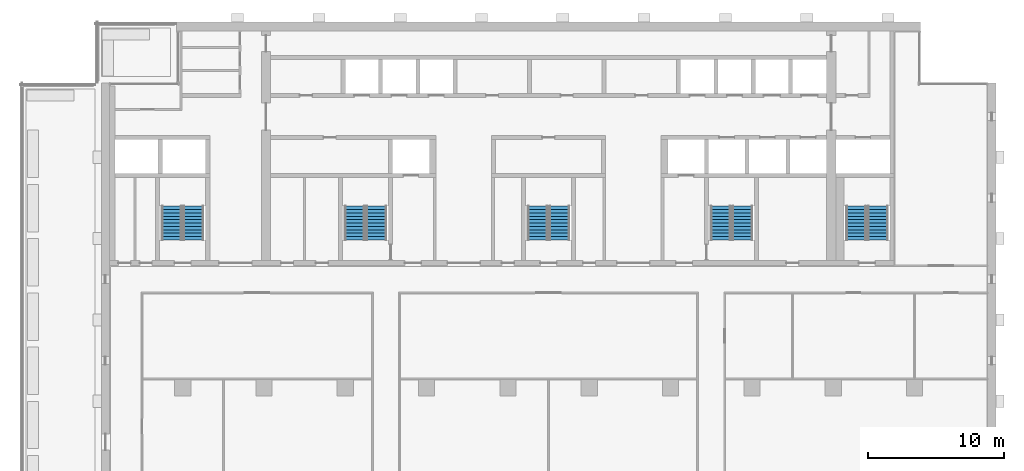
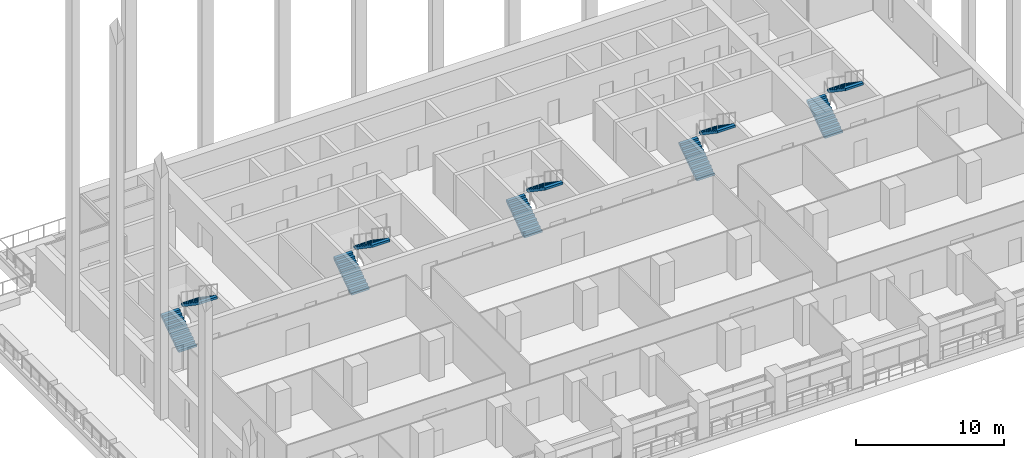
# One storey, part 13 of 19: 10 stair flights, 5 elements without a shape of their own.
"""IFC4 building model written with IfcOpenShell, lengths in metres."""

import ifcopenshell
import ifcopenshell.guid

model = None  # the IFC model being written
_history = None  # IfcOwnerHistory: only IFC2X3 demands one
_inside = {}  # id of a spatial element -> (the spatial element, [elements in it])
_under = {}  # id of a project, library or spatial element -> (it, [spatial elements below it])
_declared = {}  # id of a project -> (the project, [libraries it declares])
_typed = {}  # id of a type object -> (the type object, [elements of that type])
_made_of = {}  # id of a material, layer set ... -> (it, [elements and type objects made of it])


def new_model(schema):
    """Start an empty IFC model of exactly this schema.

    Asked for "IFC4X3", IfcOpenShell would pick the latest addendum, in which some entities
    have other attributes; the version numbers below select the first issue.
    IFC2X3 requires an IfcOwnerHistory on every rooted entity: one is made here for all.
    """
    global model, _history
    if schema == "IFC4X3":
        model = ifcopenshell.file(schema_version=(4, 3, 0, 0))
    else:
        model = ifcopenshell.file(schema=schema)
    _inside.clear()
    _under.clear()
    _declared.clear()
    _typed.clear()
    _made_of.clear()
    _history = None
    if model.schema == "IFC2X3":
        org = make("IfcOrganization", Name="unknown")
        user = make(
            "IfcPersonAndOrganization",
            ThePerson=make("IfcPerson", FamilyName="unknown"),
            TheOrganization=org,
        )
        app = make(
            "IfcApplication",
            ApplicationDeveloper=org,
            Version="unknown",
            ApplicationFullName="unknown",
            ApplicationIdentifier="unknown",
        )
        _history = make(
            "IfcOwnerHistory",
            OwningUser=user,
            OwningApplication=app,
            ChangeAction="ADDED",
            CreationDate=0,
        )
    return model


def make(cls, **values):
    """One entity of the class cls with the attributes given. An attribute that is None is left unset."""
    return model.create_entity(
        cls, **{name: value for name, value in values.items() if value is not None}
    )


def rooted(cls, **values):
    """An entity with a GlobalId (a new one), such as an element, a storey or a relation."""
    return make(cls, GlobalId=ifcopenshell.guid.new(), OwnerHistory=_history, **values)


def si_unit(unit_type, name, prefix=None):
    """IfcSIUnit, for example si_unit("LENGTHUNIT", "METRE", prefix="MILLI")."""
    return make("IfcSIUnit", UnitType=unit_type, Prefix=prefix, Name=name)


def assignment(units):
    """IfcUnitAssignment: the units of a project."""
    return None if units is None else make("IfcUnitAssignment", Units=units)


def point(xyz):
    """IfcCartesianPoint."""
    return None if xyz is None else make("IfcCartesianPoint", Coordinates=xyz)


def direction(xyz):
    """IfcDirection."""
    return None if xyz is None else make("IfcDirection", DirectionRatios=xyz)


def frame(location, z_axis=None, x_axis=None):
    """IfcAxis2Placement3D, a coordinate frame: its origin and axes. An axis left out is left unset."""
    return make(
        "IfcAxis2Placement3D",
        Location=point(location),
        Axis=direction(z_axis),
        RefDirection=direction(x_axis),
    )


def origin():
    """The frame at (0, 0, 0) with its axes left unset."""
    return frame((0.0, 0.0, 0.0))


def place(relative_to, where):
    """IfcLocalPlacement: puts the frame where relative to a parent placement (None: the world)."""
    return make(
        "IfcLocalPlacement", PlacementRelTo=relative_to, RelativePlacement=where
    )


def context(
    kind, dimensions, precision=None, world=None, true_north=None, identifier=None
):
    """IfcGeometricRepresentationContext, for example the 3D "Model" context."""
    return make(
        "IfcGeometricRepresentationContext",
        ContextIdentifier=identifier,
        ContextType=kind,
        CoordinateSpaceDimension=dimensions,
        Precision=precision,
        WorldCoordinateSystem=world,
        TrueNorth=true_north,
    )


def subcontext(parent, identifier, kind, view, scale=None):
    """IfcGeometricRepresentationSubContext, for example "Body" below "Model"."""
    return make(
        "IfcGeometricRepresentationSubContext",
        ContextIdentifier=identifier,
        ContextType=kind,
        ParentContext=parent,
        TargetScale=scale,
        TargetView=view,
    )


def project(units=None, contexts=None):
    """IfcProject with its units and contexts."""
    return rooted(
        "IfcProject",
        Name="project",
        RepresentationContexts=contexts,
        UnitsInContext=assignment(units),
    )


def spatial(cls, under=None, at=None, **own):
    """A site, building, storey or space (cls), placed at a placement, below another one or the project."""
    s = rooted(cls, ObjectPlacement=at, **own)
    if under is not None:
        _under.setdefault(under.id(), (under, []))[1].append(s)
    return s


def polyline(points):
    """IfcPolyline through the points."""
    return make("IfcPolyline", Points=[point(p) for p in points])


def outline(outer, holes=None, kind="AREA"):
    """IfcArbitraryClosedProfileDef: a profile drawn as a closed curve; with holes, ...WithVoids."""
    if holes is None:
        return make("IfcArbitraryClosedProfileDef", ProfileType=kind, OuterCurve=outer)
    return make(
        "IfcArbitraryProfileDefWithVoids",
        ProfileType=kind,
        OuterCurve=outer,
        InnerCurves=holes,
    )


def extrude(swept, where, along, depth):
    """IfcExtrudedAreaSolid: the profile swept, set in the frame where, extruded along a direction by depth."""
    return make(
        "IfcExtrudedAreaSolid",
        SweptArea=swept,
        Position=where,
        ExtrudedDirection=direction(along),
        Depth=depth,
    )


def shape(context_of_items, identifier, shape_type, items):
    """IfcShapeRepresentation: the items that make up one representation, for example the "Body"."""
    return make(
        "IfcShapeRepresentation",
        ContextOfItems=context_of_items,
        RepresentationIdentifier=identifier,
        RepresentationType=shape_type,
        Items=items,
    )


def material(Name=None, Category=None):
    """IfcMaterial."""
    return make("IfcMaterial", Name=Name, Category=Category)


def made_of(thing, what):
    """Note that an element or type object is made of a material, layer set ...; save() writes the relation."""
    if what is not None:
        _made_of.setdefault(what.id(), (what, []))[1].append(thing)
    return thing


def type_object(cls, material=None, **own):
    """A type object (cls), such as IfcWallType, which elements share."""
    return made_of(rooted(cls, **own), material)


def element(
    cls,
    number,
    at=None,
    inside=None,
    cuts=None,
    type_object=None,
    material=None,
    context=None,
    identifier="Body",
    shape_type=None,
    held_by="IfcProductDefinitionShape",
    body=None,
    shapes=None,
    **own,
):
    """One element of the class cls, such as IfcWall. Its Tag is "e" and its number.

    at: its placement. inside: the storey or other place that contains it. cuts: it is an
    opening in that element (IfcRelVoidsElement). A single representation is given by context,
    identifier, shape_type and body (its items); several are given by shapes. held_by: the class
    of the entity that holds the representations. save() writes the other relations.
    """
    e = rooted(cls, Tag="e%d" % number, ObjectPlacement=at, **own)
    if body is not None:
        shapes = [shape(context, identifier, shape_type, body)]
    if shapes is not None:
        e.Representation = make(held_by, Representations=shapes)
    if inside is not None:
        _inside.setdefault(inside.id(), (inside, []))[1].append(e)
    if cuts is not None:
        rooted(
            "IfcRelVoidsElement", RelatingBuildingElement=cuts, RelatedOpeningElement=e
        )
    if type_object is not None:
        _typed.setdefault(type_object.id(), (type_object, []))[1].append(e)
    return made_of(e, material)


def aggregate(whole, parts):
    """IfcRelAggregates: a whole, such as a stair, and the parts it consists of."""
    return rooted("IfcRelAggregates", RelatingObject=whole, RelatedObjects=parts)


def save(model, path):
    """Write the relations noted so far, then the file.

    IfcRelAggregates (storeys below a building ...), IfcRelContainedInSpatialStructure (elements
    in a storey), IfcRelDefinesByType, IfcRelAssociatesMaterial and IfcRelDeclares: one each for
    every whole, place, type object, material and project.
    """
    for whole, parts in _under.values():
        aggregate(whole, parts)
    for where, things in _inside.values():
        rooted(
            "IfcRelContainedInSpatialStructure",
            RelatedElements=things,
            RelatingStructure=where,
        )
    for kind, things in _typed.values():
        rooted("IfcRelDefinesByType", RelatedObjects=things, RelatingType=kind)
    for what, things in _made_of.values():
        rooted("IfcRelAssociatesMaterial", RelatedObjects=things, RelatingMaterial=what)
    for by, libraries in _declared.values():
        rooted("IfcRelDeclares", RelatingContext=by, RelatedDefinitions=libraries)
    model.write(path)


model = new_model("IFC4")

# Units and contexts
model_context = context("Model", 3, precision=1e-05, world=origin(), true_north=direction((0.0, 1.0)))
body_context = subcontext(model_context, "Body", "Model", "MODEL_VIEW")
ifc_project = project(units=[si_unit("LENGTHUNIT", "METRE"), si_unit("AREAUNIT", "SQUARE_METRE"), si_unit("VOLUMEUNIT", "CUBIC_METRE"), si_unit("PLANEANGLEUNIT", "RADIAN"), si_unit("MASSUNIT", "GRAM", prefix="KILO")], contexts=[model_context])

# Site, building, storey
site_placement = place(None, origin())
site = spatial("IfcSite", under=ifc_project, at=site_placement, CompositionType="ELEMENT")
building_placement = place(site_placement, origin())
building = spatial("IfcBuilding", under=site, at=building_placement, Name="Calvaro Tower", CompositionType="ELEMENT")
storey_placement = place(building_placement, frame((0.0, 0.0, 166.75)))
storey = spatial("IfcBuildingStorey", under=building, at=storey_placement, Name="L41", CompositionType="ELEMENT", Elevation=166.75)

# Stair, stair flights
ifc_material_1 = material(Name="Concrete C40/50", Category="concrete")
stair_type = type_object("IfcStairType", Name="Exit stair 1400 2 flights", PredefinedType="HALF_TURN_STAIR", material=ifc_material_1)
stair_1_placement = place(storey_placement, origin())
stair_1 = element("IfcStair", 1, at=stair_1_placement, inside=storey, type_object=stair_type, Name="Exit stair S1", PredefinedType="HALF_TURN_STAIR")
ifc_material_2 = material(Name="Concrete C40/50", Category="concrete")
stair_flight_type = type_object("IfcStairFlightType", Name="Stair flight", PredefinedType="STRAIGHT", material=ifc_material_2)
stair_flight_1_placement = place(storey_placement, frame((11.199951171875, 29.89990234375, 0.0), z_axis=(0.0, 0.0, 1.0), x_axis=(0.0, 1.0, 0.0)))
stair_flight_1 = element("IfcStairFlight", 2, at=stair_flight_1_placement, type_object=stair_flight_type, Name="Exit stair 1, flight 1", NumberOfRisers=11, NumberOfTreads=10, PredefinedType="STRAIGHT", RiserHeight=0.170454545, TreadLength=0.25, context=body_context, shape_type="SweptSolid", body=[
    extrude(outline(polyline([(0.0, 0.0), (0.0, 0.17041015625), (0.25, 0.17041015625), (0.25, 0.3408203125), (0.5, 0.3408203125), (0.5, 0.511474609375), (0.75, 0.511474609375), (0.75, 0.681884765625), (1.0, 0.681884765625), (1.0, 0.852294921875), (1.25, 0.852294921875), (1.25, 1.022705078125), (1.5, 1.022705078125), (1.5, 1.193115234375), (1.75, 1.193115234375), (1.75, 1.363525390625), (2.0, 1.363525390625), (2.0, 1.5341796875), (2.25, 1.5341796875), (2.25, 1.70458984375), (2.5, 1.70458984375), (2.5, 1.875), (2.5, 1.523193359375), (0.26611328125, 0.0), (0.0, 0.0)])), frame((0.0, 0.699951171875, 0.0), z_axis=(0.0, -1.0, 0.0), x_axis=(1.0, 0.0, 0.0)), (0.0, 0.0, 1.0), 1.39990234375),
])
stair_flight_2_placement = place(storey_placement, frame((12.800048828125, 32.39990234375, 1.875), z_axis=(0.0, 0.0, 1.0), x_axis=(0.0, -1.0, 0.0)))
stair_flight_2 = element("IfcStairFlight", 3, at=stair_flight_2_placement, type_object=stair_flight_type, Name="Exit stair 1, flight 2", NumberOfRisers=11, NumberOfTreads=10, PredefinedType="STRAIGHT", RiserHeight=0.170454545, TreadLength=0.25, context=body_context, shape_type="SweptSolid", body=[
    extrude(outline(polyline([(0.0, 0.0), (0.0, 0.17041015625), (0.25, 0.17041015625), (0.25, 0.3408203125), (0.5, 0.3408203125), (0.5, 0.511474609375), (0.75, 0.511474609375), (0.75, 0.681884765625), (1.0, 0.681884765625), (1.0, 0.852294921875), (1.25, 0.852294921875), (1.25, 1.022705078125), (1.5, 1.022705078125), (1.5, 1.193115234375), (1.75, 1.193115234375), (1.75, 1.363525390625), (2.0, 1.363525390625), (2.0, 1.5341796875), (2.25, 1.5341796875), (2.25, 1.70458984375), (2.5, 1.70458984375), (2.5, 1.875), (2.5, 1.523193359375), (0.26611328125, 0.0), (0.0, 0.0)])), frame((0.0, 0.699951171875, 0.0), z_axis=(0.0, -1.0, 0.0), x_axis=(1.0, 0.0, 0.0)), (0.0, 0.0, 1.0), 1.39990234375),
])
aggregate(stair_1, [stair_flight_1, stair_flight_2])

stair_2_placement = place(storey_placement, origin())
stair_2 = element("IfcStair", 4, at=stair_2_placement, inside=storey, type_object=stair_type, Name="Exit stair S2", PredefinedType="HALF_TURN_STAIR")
stair_flight_3_placement = place(storey_placement, frame((24.699951171875, 29.89990234375, 0.0), z_axis=(0.0, 0.0, 1.0), x_axis=(0.0, 1.0, 0.0)))
stair_flight_3 = element("IfcStairFlight", 5, at=stair_flight_3_placement, type_object=stair_flight_type, Name="Exit stair 2, flight 1", NumberOfRisers=11, NumberOfTreads=10, PredefinedType="STRAIGHT", RiserHeight=0.170454545, TreadLength=0.25, context=body_context, shape_type="SweptSolid", body=[
    extrude(outline(polyline([(0.0, 0.0), (0.0, 0.17041015625), (0.25, 0.17041015625), (0.25, 0.3408203125), (0.5, 0.3408203125), (0.5, 0.511474609375), (0.75, 0.511474609375), (0.75, 0.681884765625), (1.0, 0.681884765625), (1.0, 0.852294921875), (1.25, 0.852294921875), (1.25, 1.022705078125), (1.5, 1.022705078125), (1.5, 1.193115234375), (1.75, 1.193115234375), (1.75, 1.363525390625), (2.0, 1.363525390625), (2.0, 1.5341796875), (2.25, 1.5341796875), (2.25, 1.70458984375), (2.5, 1.70458984375), (2.5, 1.875), (2.5, 1.523193359375), (0.26611328125, 0.0), (0.0, 0.0)])), frame((0.0, 0.699951171875, 0.0), z_axis=(0.0, -1.0, 0.0), x_axis=(1.0, 0.0, 0.0)), (0.0, 0.0, 1.0), 1.39990234375),
])
stair_flight_4_placement = place(storey_placement, frame((26.300048828125, 32.39990234375, 1.875), z_axis=(0.0, 0.0, 1.0), x_axis=(0.0, -1.0, 0.0)))
stair_flight_4 = element("IfcStairFlight", 6, at=stair_flight_4_placement, type_object=stair_flight_type, Name="Exit stair 2, flight 2", NumberOfRisers=11, NumberOfTreads=10, PredefinedType="STRAIGHT", RiserHeight=0.170454545, TreadLength=0.25, context=body_context, shape_type="SweptSolid", body=[
    extrude(outline(polyline([(0.0, 0.0), (0.0, 0.17041015625), (0.25, 0.17041015625), (0.25, 0.3408203125), (0.5, 0.3408203125), (0.5, 0.511474609375), (0.75, 0.511474609375), (0.75, 0.681884765625), (1.0, 0.681884765625), (1.0, 0.852294921875), (1.25, 0.852294921875), (1.25, 1.022705078125), (1.5, 1.022705078125), (1.5, 1.193115234375), (1.75, 1.193115234375), (1.75, 1.363525390625), (2.0, 1.363525390625), (2.0, 1.5341796875), (2.25, 1.5341796875), (2.25, 1.70458984375), (2.5, 1.70458984375), (2.5, 1.875), (2.5, 1.523193359375), (0.26611328125, 0.0), (0.0, 0.0)])), frame((0.0, 0.699951171875, 0.0), z_axis=(0.0, -1.0, 0.0), x_axis=(1.0, 0.0, 0.0)), (0.0, 0.0, 1.0), 1.39990234375),
])
aggregate(stair_2, [stair_flight_3, stair_flight_4])

stair_3_placement = place(storey_placement, origin())
stair_3 = element("IfcStair", 7, at=stair_3_placement, inside=storey, type_object=stair_type, Name="Exit stair S3", PredefinedType="HALF_TURN_STAIR")
stair_flight_5_placement = place(storey_placement, frame((38.199951171875, 29.89990234375, 0.0), z_axis=(0.0, 0.0, 1.0), x_axis=(0.0, 1.0, 0.0)))
stair_flight_5 = element("IfcStairFlight", 8, at=stair_flight_5_placement, type_object=stair_flight_type, Name="Exit stair 3, flight 1", NumberOfRisers=11, NumberOfTreads=10, PredefinedType="STRAIGHT", RiserHeight=0.170454545, TreadLength=0.25, context=body_context, shape_type="SweptSolid", body=[
    extrude(outline(polyline([(0.0, 0.0), (0.0, 0.17041015625), (0.25, 0.17041015625), (0.25, 0.3408203125), (0.5, 0.3408203125), (0.5, 0.511474609375), (0.75, 0.511474609375), (0.75, 0.681884765625), (1.0, 0.681884765625), (1.0, 0.852294921875), (1.25, 0.852294921875), (1.25, 1.022705078125), (1.5, 1.022705078125), (1.5, 1.193115234375), (1.75, 1.193115234375), (1.75, 1.363525390625), (2.0, 1.363525390625), (2.0, 1.5341796875), (2.25, 1.5341796875), (2.25, 1.70458984375), (2.5, 1.70458984375), (2.5, 1.875), (2.5, 1.523193359375), (0.26611328125, 0.0), (0.0, 0.0)])), frame((0.0, 0.699951171875, 0.0), z_axis=(0.0, -1.0, 0.0), x_axis=(1.0, 0.0, 0.0)), (0.0, 0.0, 1.0), 1.39990234375),
])
stair_flight_6_placement = place(storey_placement, frame((39.800048828125, 32.39990234375, 1.875), z_axis=(0.0, 0.0, 1.0), x_axis=(0.0, -1.0, 0.0)))
stair_flight_6 = element("IfcStairFlight", 9, at=stair_flight_6_placement, type_object=stair_flight_type, Name="Exit stair 3, flight 2", NumberOfRisers=11, NumberOfTreads=10, PredefinedType="STRAIGHT", RiserHeight=0.170454545, TreadLength=0.25, context=body_context, shape_type="SweptSolid", body=[
    extrude(outline(polyline([(0.0, 0.0), (0.0, 0.17041015625), (0.25, 0.17041015625), (0.25, 0.3408203125), (0.5, 0.3408203125), (0.5, 0.511474609375), (0.75, 0.511474609375), (0.75, 0.681884765625), (1.0, 0.681884765625), (1.0, 0.852294921875), (1.25, 0.852294921875), (1.25, 1.022705078125), (1.5, 1.022705078125), (1.5, 1.193115234375), (1.75, 1.193115234375), (1.75, 1.363525390625), (2.0, 1.363525390625), (2.0, 1.5341796875), (2.25, 1.5341796875), (2.25, 1.70458984375), (2.5, 1.70458984375), (2.5, 1.875), (2.5, 1.523193359375), (0.26611328125, 0.0), (0.0, 0.0)])), frame((0.0, 0.699951171875, 0.0), z_axis=(0.0, -1.0, 0.0), x_axis=(1.0, 0.0, 0.0)), (0.0, 0.0, 1.0), 1.39990234375),
])
aggregate(stair_3, [stair_flight_5, stair_flight_6])

stair_4_placement = place(storey_placement, origin())
stair_4 = element("IfcStair", 10, at=stair_4_placement, inside=storey, type_object=stair_type, Name="Exit stair S4", PredefinedType="HALF_TURN_STAIR")
stair_flight_7_placement = place(storey_placement, frame((51.699951171875, 29.89990234375, 0.0), z_axis=(0.0, 0.0, 1.0), x_axis=(0.0, 1.0, 0.0)))
stair_flight_7 = element("IfcStairFlight", 11, at=stair_flight_7_placement, type_object=stair_flight_type, Name="Exit stair 4, flight 1", NumberOfRisers=11, NumberOfTreads=10, PredefinedType="STRAIGHT", RiserHeight=0.170454545, TreadLength=0.25, context=body_context, shape_type="SweptSolid", body=[
    extrude(outline(polyline([(0.0, 0.0), (0.0, 0.17041015625), (0.25, 0.17041015625), (0.25, 0.3408203125), (0.5, 0.3408203125), (0.5, 0.511474609375), (0.75, 0.511474609375), (0.75, 0.681884765625), (1.0, 0.681884765625), (1.0, 0.852294921875), (1.25, 0.852294921875), (1.25, 1.022705078125), (1.5, 1.022705078125), (1.5, 1.193115234375), (1.75, 1.193115234375), (1.75, 1.363525390625), (2.0, 1.363525390625), (2.0, 1.5341796875), (2.25, 1.5341796875), (2.25, 1.70458984375), (2.5, 1.70458984375), (2.5, 1.875), (2.5, 1.523193359375), (0.26611328125, 0.0), (0.0, 0.0)])), frame((0.0, 0.699951171875, 0.0), z_axis=(0.0, -1.0, 0.0), x_axis=(1.0, 0.0, 0.0)), (0.0, 0.0, 1.0), 1.39990234375),
])
stair_flight_8_placement = place(storey_placement, frame((53.300048828125, 32.39990234375, 1.875), z_axis=(0.0, 0.0, 1.0), x_axis=(0.0, -1.0, 0.0)))
stair_flight_8 = element("IfcStairFlight", 12, at=stair_flight_8_placement, type_object=stair_flight_type, Name="Exit stair 4, flight 2", NumberOfRisers=11, NumberOfTreads=10, PredefinedType="STRAIGHT", RiserHeight=0.170454545, TreadLength=0.25, context=body_context, shape_type="SweptSolid", body=[
    extrude(outline(polyline([(0.0, 0.0), (0.0, 0.17041015625), (0.25, 0.17041015625), (0.25, 0.3408203125), (0.5, 0.3408203125), (0.5, 0.511474609375), (0.75, 0.511474609375), (0.75, 0.681884765625), (1.0, 0.681884765625), (1.0, 0.852294921875), (1.25, 0.852294921875), (1.25, 1.022705078125), (1.5, 1.022705078125), (1.5, 1.193115234375), (1.75, 1.193115234375), (1.75, 1.363525390625), (2.0, 1.363525390625), (2.0, 1.5341796875), (2.25, 1.5341796875), (2.25, 1.70458984375), (2.5, 1.70458984375), (2.5, 1.875), (2.5, 1.523193359375), (0.26611328125, 0.0), (0.0, 0.0)])), frame((0.0, 0.699951171875, 0.0), z_axis=(0.0, -1.0, 0.0), x_axis=(1.0, 0.0, 0.0)), (0.0, 0.0, 1.0), 1.39990234375),
])
aggregate(stair_4, [stair_flight_7, stair_flight_8])

stair_5_placement = place(storey_placement, origin())
stair_5 = element("IfcStair", 13, at=stair_5_placement, inside=storey, type_object=stair_type, Name="Exit stair S5", PredefinedType="HALF_TURN_STAIR")
stair_flight_9_placement = place(storey_placement, frame((61.699951171875, 29.89990234375, 0.0), z_axis=(0.0, 0.0, 1.0), x_axis=(0.0, 1.0, 0.0)))
stair_flight_9 = element("IfcStairFlight", 14, at=stair_flight_9_placement, type_object=stair_flight_type, Name="Exit stair 5, flight 1", NumberOfRisers=11, NumberOfTreads=10, PredefinedType="STRAIGHT", RiserHeight=0.170454545, TreadLength=0.25, context=body_context, shape_type="SweptSolid", body=[
    extrude(outline(polyline([(0.0, 0.0), (0.0, 0.17041015625), (0.25, 0.17041015625), (0.25, 0.3408203125), (0.5, 0.3408203125), (0.5, 0.511474609375), (0.75, 0.511474609375), (0.75, 0.681884765625), (1.0, 0.681884765625), (1.0, 0.852294921875), (1.25, 0.852294921875), (1.25, 1.022705078125), (1.5, 1.022705078125), (1.5, 1.193115234375), (1.75, 1.193115234375), (1.75, 1.363525390625), (2.0, 1.363525390625), (2.0, 1.5341796875), (2.25, 1.5341796875), (2.25, 1.70458984375), (2.5, 1.70458984375), (2.5, 1.875), (2.5, 1.523193359375), (0.26611328125, 0.0), (0.0, 0.0)])), frame((0.0, 0.699951171875, 0.0), z_axis=(0.0, -1.0, 0.0), x_axis=(1.0, 0.0, 0.0)), (0.0, 0.0, 1.0), 1.39990234375),
])
stair_flight_10_placement = place(storey_placement, frame((63.300048828125, 32.39990234375, 1.875), z_axis=(0.0, 0.0, 1.0), x_axis=(0.0, -1.0, 0.0)))
stair_flight_10 = element("IfcStairFlight", 15, at=stair_flight_10_placement, type_object=stair_flight_type, Name="Exit stair 5, flight 2", NumberOfRisers=11, NumberOfTreads=10, PredefinedType="STRAIGHT", RiserHeight=0.170454545, TreadLength=0.25, context=body_context, shape_type="SweptSolid", body=[
    extrude(outline(polyline([(0.0, 0.0), (0.0, 0.17041015625), (0.25, 0.17041015625), (0.25, 0.3408203125), (0.5, 0.3408203125), (0.5, 0.511474609375), (0.75, 0.511474609375), (0.75, 0.681884765625), (1.0, 0.681884765625), (1.0, 0.852294921875), (1.25, 0.852294921875), (1.25, 1.022705078125), (1.5, 1.022705078125), (1.5, 1.193115234375), (1.75, 1.193115234375), (1.75, 1.363525390625), (2.0, 1.363525390625), (2.0, 1.5341796875), (2.25, 1.5341796875), (2.25, 1.70458984375), (2.5, 1.70458984375), (2.5, 1.875), (2.5, 1.523193359375), (0.26611328125, 0.0), (0.0, 0.0)])), frame((0.0, 0.699951171875, 0.0), z_axis=(0.0, -1.0, 0.0), x_axis=(1.0, 0.0, 0.0)), (0.0, 0.0, 1.0), 1.39990234375),
])
aggregate(stair_5, [stair_flight_9, stair_flight_10])

save(model, "model.ifc")
